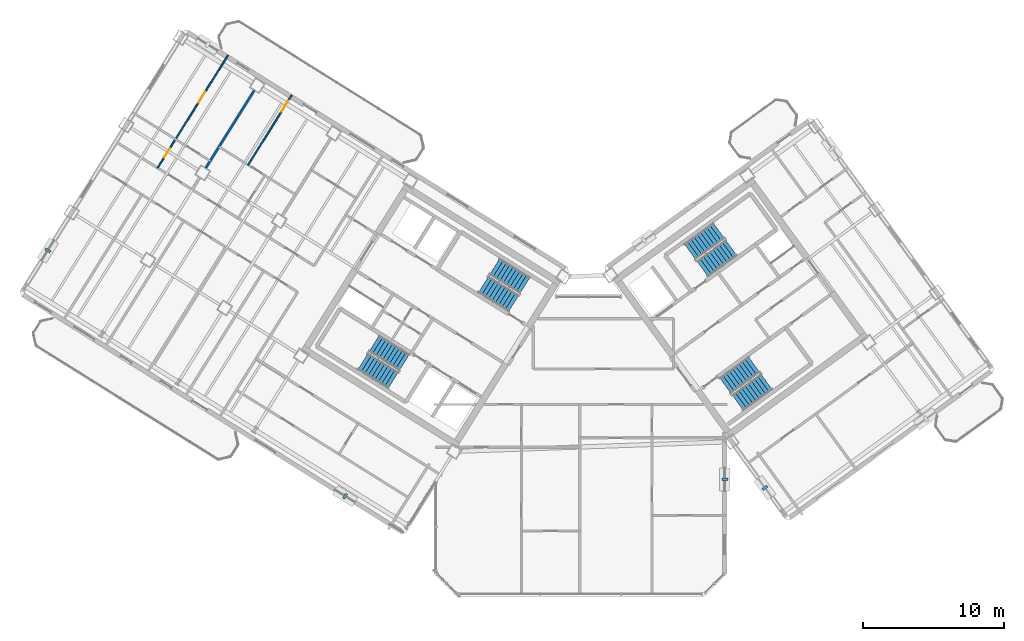
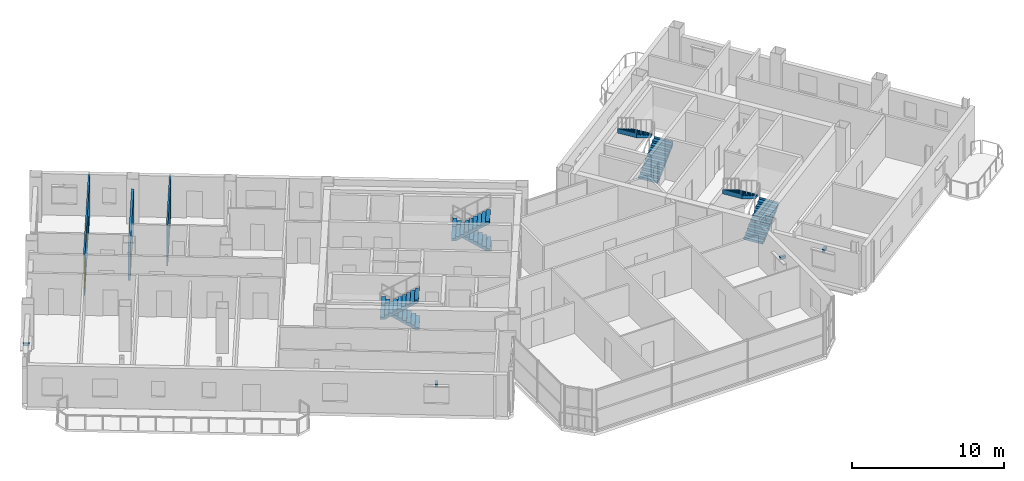
# One storey, part 21 of 27: 8 stair flights, 4 discrete accessories, 3 doors, 3 walls, 3 openings, 4 elements without a shape of their own.
"""IFC4 building model written with IfcOpenShell, lengths in metres."""

import ifcopenshell
import ifcopenshell.guid

model = None  # the IFC model being written
_history = None  # IfcOwnerHistory: only IFC2X3 demands one
_inside = {}  # id of a spatial element -> (the spatial element, [elements in it])
_under = {}  # id of a project, library or spatial element -> (it, [spatial elements below it])
_declared = {}  # id of a project -> (the project, [libraries it declares])
_typed = {}  # id of a type object -> (the type object, [elements of that type])
_made_of = {}  # id of a material, layer set ... -> (it, [elements and type objects made of it])


def new_model(schema):
    """Start an empty IFC model of exactly this schema.

    Asked for "IFC4X3", IfcOpenShell would pick the latest addendum, in which some entities
    have other attributes; the version numbers below select the first issue.
    IFC2X3 requires an IfcOwnerHistory on every rooted entity: one is made here for all.
    """
    global model, _history
    if schema == "IFC4X3":
        model = ifcopenshell.file(schema_version=(4, 3, 0, 0))
    else:
        model = ifcopenshell.file(schema=schema)
    _inside.clear()
    _under.clear()
    _declared.clear()
    _typed.clear()
    _made_of.clear()
    _history = None
    if model.schema == "IFC2X3":
        org = make("IfcOrganization", Name="unknown")
        user = make(
            "IfcPersonAndOrganization",
            ThePerson=make("IfcPerson", FamilyName="unknown"),
            TheOrganization=org,
        )
        app = make(
            "IfcApplication",
            ApplicationDeveloper=org,
            Version="unknown",
            ApplicationFullName="unknown",
            ApplicationIdentifier="unknown",
        )
        _history = make(
            "IfcOwnerHistory",
            OwningUser=user,
            OwningApplication=app,
            ChangeAction="ADDED",
            CreationDate=0,
        )
    return model


def make(cls, **values):
    """One entity of the class cls with the attributes given. An attribute that is None is left unset."""
    return model.create_entity(
        cls, **{name: value for name, value in values.items() if value is not None}
    )


def rooted(cls, **values):
    """An entity with a GlobalId (a new one), such as an element, a storey or a relation."""
    return make(cls, GlobalId=ifcopenshell.guid.new(), OwnerHistory=_history, **values)


def si_unit(unit_type, name, prefix=None):
    """IfcSIUnit, for example si_unit("LENGTHUNIT", "METRE", prefix="MILLI")."""
    return make("IfcSIUnit", UnitType=unit_type, Prefix=prefix, Name=name)


def assignment(units):
    """IfcUnitAssignment: the units of a project."""
    return None if units is None else make("IfcUnitAssignment", Units=units)


def point(xyz):
    """IfcCartesianPoint."""
    return None if xyz is None else make("IfcCartesianPoint", Coordinates=xyz)


def direction(xyz):
    """IfcDirection."""
    return None if xyz is None else make("IfcDirection", DirectionRatios=xyz)


def frame(location, z_axis=None, x_axis=None):
    """IfcAxis2Placement3D, a coordinate frame: its origin and axes. An axis left out is left unset."""
    return make(
        "IfcAxis2Placement3D",
        Location=point(location),
        Axis=direction(z_axis),
        RefDirection=direction(x_axis),
    )


def frame_2d(location, x_axis=None):
    """IfcAxis2Placement2D, a coordinate frame in the plane: its origin and x axis."""
    return make(
        "IfcAxis2Placement2D", Location=point(location), RefDirection=direction(x_axis)
    )


def origin():
    """The frame at (0, 0, 0) with its axes left unset."""
    return frame((0.0, 0.0, 0.0))


def origin_2d():
    """The frame at (0, 0) in the plane with its x axis left unset."""
    return frame_2d((0.0, 0.0))


def place(relative_to, where):
    """IfcLocalPlacement: puts the frame where relative to a parent placement (None: the world)."""
    return make(
        "IfcLocalPlacement", PlacementRelTo=relative_to, RelativePlacement=where
    )


def context(
    kind, dimensions, precision=None, world=None, true_north=None, identifier=None
):
    """IfcGeometricRepresentationContext, for example the 3D "Model" context."""
    return make(
        "IfcGeometricRepresentationContext",
        ContextIdentifier=identifier,
        ContextType=kind,
        CoordinateSpaceDimension=dimensions,
        Precision=precision,
        WorldCoordinateSystem=world,
        TrueNorth=true_north,
    )


def subcontext(parent, identifier, kind, view, scale=None):
    """IfcGeometricRepresentationSubContext, for example "Body" below "Model"."""
    return make(
        "IfcGeometricRepresentationSubContext",
        ContextIdentifier=identifier,
        ContextType=kind,
        ParentContext=parent,
        TargetScale=scale,
        TargetView=view,
    )


def project(units=None, contexts=None):
    """IfcProject with its units and contexts."""
    return rooted(
        "IfcProject",
        Name="project",
        RepresentationContexts=contexts,
        UnitsInContext=assignment(units),
    )


def spatial(cls, under=None, at=None, **own):
    """A site, building, storey or space (cls), placed at a placement, below another one or the project."""
    s = rooted(cls, ObjectPlacement=at, **own)
    if under is not None:
        _under.setdefault(under.id(), (under, []))[1].append(s)
    return s


def polyline(points):
    """IfcPolyline through the points."""
    return make("IfcPolyline", Points=[point(p) for p in points])


def profile(cls, at=None, kind="AREA", **sizes):
    """A parametric profile (cls). Its sizes go by their IFC names, for example OverallWidth=200.0."""
    return make(cls, ProfileType=kind, Position=at, **sizes)


def rectangle(**sizes):
    """IfcRectangleProfileDef."""
    return profile("IfcRectangleProfileDef", **sizes)


def outline(outer, holes=None, kind="AREA"):
    """IfcArbitraryClosedProfileDef: a profile drawn as a closed curve; with holes, ...WithVoids."""
    if holes is None:
        return make("IfcArbitraryClosedProfileDef", ProfileType=kind, OuterCurve=outer)
    return make(
        "IfcArbitraryProfileDefWithVoids",
        ProfileType=kind,
        OuterCurve=outer,
        InnerCurves=holes,
    )


def extrude(swept, where, along, depth):
    """IfcExtrudedAreaSolid: the profile swept, set in the frame where, extruded along a direction by depth."""
    return make(
        "IfcExtrudedAreaSolid",
        SweptArea=swept,
        Position=where,
        ExtrudedDirection=direction(along),
        Depth=depth,
    )


def shape(context_of_items, identifier, shape_type, items):
    """IfcShapeRepresentation: the items that make up one representation, for example the "Body"."""
    return make(
        "IfcShapeRepresentation",
        ContextOfItems=context_of_items,
        RepresentationIdentifier=identifier,
        RepresentationType=shape_type,
        Items=items,
    )


def source(mapping_origin, context_of_items, identifier, shape_type, items):
    """IfcRepresentationMap: a shape defined once, which mapped items show again and again."""
    return make(
        "IfcRepresentationMap",
        MappingOrigin=mapping_origin,
        MappedRepresentation=shape(context_of_items, identifier, shape_type, items),
    )


def transform(
    local_origin,
    x_axis=None,
    y_axis=None,
    z_axis=None,
    scale=None,
    scale2=None,
    scale3=None,
    uniform=True,
):
    """IfcCartesianTransformationOperator3D, or its non-uniform kind. x_axis, y_axis, z_axis: its Axis1, 2, 3."""
    if uniform:
        return make(
            "IfcCartesianTransformationOperator3D",
            Axis1=direction(x_axis),
            Axis2=direction(y_axis),
            LocalOrigin=point(local_origin),
            Scale=scale,
            Axis3=direction(z_axis),
        )
    return make(
        "IfcCartesianTransformationOperator3DnonUniform",
        Axis1=direction(x_axis),
        Axis2=direction(y_axis),
        LocalOrigin=point(local_origin),
        Scale=scale,
        Axis3=direction(z_axis),
        Scale2=scale2,
        Scale3=scale3,
    )


def mapped(mapping_source, mapping_target):
    """IfcMappedItem: shows the shape of a source again, moved by a transform."""
    return make(
        "IfcMappedItem", MappingSource=mapping_source, MappingTarget=mapping_target
    )


def material(Name=None, Category=None):
    """IfcMaterial."""
    return make("IfcMaterial", Name=Name, Category=Category)


def layer(
    of_material, thickness, ventilated=None, Name=None, Category=None, Priority=None
):
    """IfcMaterialLayer: one layer of a wall or slab, of a material (None: an air gap)."""
    return make(
        "IfcMaterialLayer",
        Material=of_material,
        LayerThickness=thickness,
        IsVentilated=ventilated,
        Name=Name,
        Category=Category,
        Priority=Priority,
    )


def layer_set(layers, Name=None):
    """IfcMaterialLayerSet."""
    return make("IfcMaterialLayerSet", MaterialLayers=layers, LayerSetName=Name)


def made_of(thing, what):
    """Note that an element or type object is made of a material, layer set ...; save() writes the relation."""
    if what is not None:
        _made_of.setdefault(what.id(), (what, []))[1].append(thing)
    return thing


def type_object(cls, material=None, **own):
    """A type object (cls), such as IfcWallType, which elements share."""
    return made_of(rooted(cls, **own), material)


def element(
    cls,
    number,
    at=None,
    inside=None,
    cuts=None,
    type_object=None,
    material=None,
    context=None,
    identifier="Body",
    shape_type=None,
    held_by="IfcProductDefinitionShape",
    body=None,
    shapes=None,
    **own,
):
    """One element of the class cls, such as IfcWall. Its Tag is "e" and its number.

    at: its placement. inside: the storey or other place that contains it. cuts: it is an
    opening in that element (IfcRelVoidsElement). A single representation is given by context,
    identifier, shape_type and body (its items); several are given by shapes. held_by: the class
    of the entity that holds the representations. save() writes the other relations.
    """
    e = rooted(cls, Tag="e%d" % number, ObjectPlacement=at, **own)
    if body is not None:
        shapes = [shape(context, identifier, shape_type, body)]
    if shapes is not None:
        e.Representation = make(held_by, Representations=shapes)
    if inside is not None:
        _inside.setdefault(inside.id(), (inside, []))[1].append(e)
    if cuts is not None:
        rooted(
            "IfcRelVoidsElement", RelatingBuildingElement=cuts, RelatedOpeningElement=e
        )
    if type_object is not None:
        _typed.setdefault(type_object.id(), (type_object, []))[1].append(e)
    return made_of(e, material)


def fill(opening, filler):
    """IfcRelFillsElement: the door or window that sits in an opening."""
    return rooted(
        "IfcRelFillsElement",
        RelatingOpeningElement=opening,
        RelatedBuildingElement=filler,
    )


def aggregate(whole, parts):
    """IfcRelAggregates: a whole, such as a stair, and the parts it consists of."""
    return rooted("IfcRelAggregates", RelatingObject=whole, RelatedObjects=parts)


def save(model, path):
    """Write the relations noted so far, then the file.

    IfcRelAggregates (storeys below a building ...), IfcRelContainedInSpatialStructure (elements
    in a storey), IfcRelDefinesByType, IfcRelAssociatesMaterial and IfcRelDeclares: one each for
    every whole, place, type object, material and project.
    """
    for whole, parts in _under.values():
        aggregate(whole, parts)
    for where, things in _inside.values():
        rooted(
            "IfcRelContainedInSpatialStructure",
            RelatedElements=things,
            RelatingStructure=where,
        )
    for kind, things in _typed.values():
        rooted("IfcRelDefinesByType", RelatedObjects=things, RelatingType=kind)
    for what, things in _made_of.values():
        rooted("IfcRelAssociatesMaterial", RelatedObjects=things, RelatingMaterial=what)
    for by, libraries in _declared.values():
        rooted("IfcRelDeclares", RelatingContext=by, RelatedDefinitions=libraries)
    model.write(path)


model = new_model("IFC4")

# Units and contexts
model_context = context("Model", 3, precision=1e-05, world=origin(), true_north=direction((0.0, 1.0)))
body_context = subcontext(model_context, "Body", "Model", "MODEL_VIEW")
ifc_project = project(units=[si_unit("LENGTHUNIT", "METRE"), si_unit("AREAUNIT", "SQUARE_METRE"), si_unit("VOLUMEUNIT", "CUBIC_METRE"), si_unit("PLANEANGLEUNIT", "RADIAN"), si_unit("MASSUNIT", "GRAM", prefix="KILO")], contexts=[model_context])

# Site, building, storey
site_placement = place(None, origin())
site = spatial("IfcSite", under=ifc_project, at=site_placement, CompositionType="ELEMENT")
building_placement = place(site_placement, origin())
building = spatial("IfcBuilding", under=site, at=building_placement, Name="Tlacorven Tower", CompositionType="ELEMENT")
storey_placement = place(building_placement, frame((0.0, 0.0, 242.10009765625)))
storey = spatial("IfcBuildingStorey", under=building, at=storey_placement, Name="L61", CompositionType="ELEMENT", Elevation=242.10009765625)

# Wall
ifc_material_1 = material(Name="Gypsum plasterboard acoustic partition", Category="gypsum")
ifc_layer_1 = layer(ifc_material_1, 0.159912109375)
ifc_layer_set_1 = layer_set([ifc_layer_1], Name="Gypsum plasterboard acoustic partition")
wall_type_1 = type_object("IfcWallType", Name="WL-DEM-160", PredefinedType="PARTITIONING", material=ifc_layer_set_1)
wall_1_placement = place(storey_placement, frame((18.8544921875, 37.684814453125, 0.0), z_axis=(0.0, 0.0, 1.0), x_axis=(-0.529907440938, -0.848055484057, 0.0)))
element("IfcWall", 1, at=wall_1_placement, inside=storey, type_object=wall_type_1, Name="L61 WS Demising Wall 2", PredefinedType="PARTITIONING", context=body_context, shape_type="SweptSolid", body=[
    extrude(rectangle(XDim=6.475830078125, YDim=0.159912109375, at=frame_2d((3.23779296875, 0.0))), origin(), (0.0, 0.0, 1.0), 2.844970703125),
])

# Wall, opening, door
ifc_material_2 = material(Name="Gypsum plasterboard partition", Category="gypsum")
ifc_layer_2 = layer(ifc_material_2, 0.110107421875)
ifc_layer_set_2 = layer_set([ifc_layer_2], Name="Gypsum plasterboard partition")
wall_type_2 = type_object("IfcWallType", Name="WL-INT-110", PredefinedType="PARTITIONING", material=ifc_layer_set_2)
wall_2_placement = place(storey_placement, frame((21.516845703125, 37.356201171875, 0.0), z_axis=(0.0, 0.0, 1.0), x_axis=(-0.529916267533, -0.848049968695, 0.0)))
wall_2 = element("IfcWall", 2, at=wall_2_placement, inside=storey, type_object=wall_type_2, Name="L61 partition 54", PredefinedType="PARTITIONING", context=body_context, shape_type="SweptSolid", body=[
    extrude(rectangle(XDim=5.840087890625, YDim=0.110107421875, at=frame_2d((2.919921875, 0.0))), origin(), (0.0, 0.0, 1.0), 3.309814453125),
])
opening_1_placement = place(wall_2_placement, frame((0.469970703125, 0.0, 0.0)))
opening_1 = element("IfcOpeningElement", 3, at=opening_1_placement, cuts=wall_2, Name="Opening D12", PredefinedType="OPENING", context=body_context, shape_type="SweptSolid", body=[
    extrude(rectangle(XDim=0.919921875, YDim=2.080078125, at=frame_2d((0.4599609375, 1.0400390625))), frame((0.0, 0.06494140625, 0.0), z_axis=(0.0, -1.0, 0.0), x_axis=(1.0, 0.0, 0.0)), (0.0, 0.0, 1.0), 0.130126953125),
])
ifc_material_3 = material(Name="Powder-coated aluminium and timber door", Category="wood")
door_type_1 = type_object("IfcDoorType", Name="DR-INT-ROOM-0920", OperationType="NOTDEFINED", PredefinedType="DOOR", material=ifc_material_3)
shared_shape_1 = source(origin(), body_context, "Body", "SweptSolid", [
    extrude(rectangle(XDim=0.919921875, YDim=2.080078125, at=frame_2d((0.4599609375, 1.0400390625))), frame((0.0, 0.02490234375, 0.0), z_axis=(0.0, -1.0, 0.0), x_axis=(1.0, 0.0, 0.0)), (0.0, 0.0, 1.0), 0.050048828125),
])
door_1_placement = place(opening_1_placement, origin())
door_1 = element("IfcDoor", 4, at=door_1_placement, inside=storey, type_object=door_type_1, Name="L61 door 030", OperationType="SINGLE_SWING_RIGHT", OverallHeight=2.080078125, OverallWidth=0.919921875, PredefinedType="DOOR", context=body_context, shape_type="MappedRepresentation", body=[
    mapped(shared_shape_1, transform((0.0, 0.0, 0.0), scale=1.0)),
])
fill(opening_1, door_1)

# Wall, openings, doors
wall_3_placement = place(storey_placement, frame((16.9951171875, 40.181640625, 0.0), z_axis=(0.0, 0.0, 1.0), x_axis=(-0.529931378574, -0.848040526156, 0.0)))
wall_3 = element("IfcWall", 5, at=wall_3_placement, inside=storey, type_object=wall_type_2, Name="L61 partition 55", PredefinedType="PARTITIONING", context=body_context, shape_type="SweptSolid", body=[
    extrude(rectangle(XDim=9.419921875, YDim=0.110107421875, at=frame_2d((4.7099609375, 0.0))), origin(), (0.0, 0.0, 1.0), 3.309814453125),
])
opening_2_placement = place(wall_3_placement, frame((7.780029296875, 0.0, 0.0)))
opening_2 = element("IfcOpeningElement", 6, at=opening_2_placement, cuts=wall_3, Name="Opening D22", PredefinedType="OPENING", context=body_context, shape_type="SweptSolid", body=[
    extrude(rectangle(XDim=0.780029296875, YDim=2.050048828125, at=frame_2d((0.39013671875, 1.02490234375))), frame((0.0, 0.06494140625, 0.0), z_axis=(0.0, -1.0, 0.0), x_axis=(1.0, 0.0, 0.0)), (0.0, 0.0, 1.0), 0.130126953125),
])
opening_3_placement = place(wall_3_placement, frame((3.050048828125, 0.0, 0.0)))
opening_3 = element("IfcOpeningElement", 7, at=opening_3_placement, cuts=wall_3, Name="Opening D12", PredefinedType="OPENING", context=body_context, shape_type="SweptSolid", body=[
    extrude(rectangle(XDim=0.919921875, YDim=2.080078125, at=frame_2d((0.4599609375, 1.0400390625))), frame((0.0, 0.06494140625, 0.0), z_axis=(0.0, -1.0, 0.0), x_axis=(1.0, 0.0, 0.0)), (0.0, 0.0, 1.0), 0.130126953125),
])
door_type_2 = type_object("IfcDoorType", Name="DR-INT-WET-0780", OperationType="NOTDEFINED", PredefinedType="DOOR", material=ifc_material_3)
shared_shape_2 = source(origin(), body_context, "Body", "SweptSolid", [
    extrude(rectangle(XDim=0.780029296875, YDim=2.050048828125, at=frame_2d((0.39013671875, 1.02490234375))), frame((0.0, 0.02490234375, 0.0), z_axis=(0.0, -1.0, 0.0), x_axis=(1.0, 0.0, 0.0)), (0.0, 0.0, 1.0), 0.050048828125),
])
door_2_placement = place(opening_2_placement, origin())
door_2 = element("IfcDoor", 8, at=door_2_placement, inside=storey, type_object=door_type_2, Name="L61 door 037", OperationType="SINGLE_SWING_LEFT", OverallHeight=2.050048828125, OverallWidth=0.780029296875, PredefinedType="DOOR", context=body_context, shape_type="MappedRepresentation", body=[
    mapped(shared_shape_2, transform((0.0, 0.0, 0.0), scale=1.0)),
])
fill(opening_2, door_2)
door_3_placement = place(opening_3_placement, origin())
door_3 = element("IfcDoor", 9, at=door_3_placement, inside=storey, type_object=door_type_1, Name="L61 door 038", OperationType="SINGLE_SWING_RIGHT", OverallHeight=2.080078125, OverallWidth=0.919921875, PredefinedType="DOOR", context=body_context, shape_type="MappedRepresentation", body=[
    mapped(shared_shape_1, transform((0.0, 0.0, 0.0), scale=1.0)),
])
fill(opening_3, door_3)

# Stair, stair flights
ifc_material_4 = material(Name="Concrete C40/50", Category="concrete")
stair_type = type_object("IfcStairType", Name="ST-CORE-DLG", PredefinedType="HALF_TURN_STAIR", material=ifc_material_4)
stair_1_placement = place(storey_placement, origin())
stair_1 = element("IfcStair", 10, at=stair_1_placement, inside=storey, type_object=stair_type, Name="L61 Protected Exit Stair West 1", PredefinedType="HALF_TURN_STAIR")
stair_flight_type = type_object("IfcStairFlightType", Name="SFL-RC-1380", PredefinedType="STRAIGHT", material=ifc_material_4)
shared_shape_3 = source(origin(), body_context, "Body", "SweptSolid", [
    extrude(outline(polyline([(-0.0029296875, -0.0029296875), (-0.0029296875, 0.179931640625), (0.280029296875, 0.179931640625), (0.280029296875, 0.360107421875), (0.56005859375, 0.360107421875), (0.56005859375, 0.5400390625), (0.840087890625, 0.5400390625), (0.840087890625, 0.719970703125), (1.1201171875, 0.719970703125), (1.1201171875, 0.89990234375), (1.39990234375, 0.89990234375), (1.39990234375, 1.080078125), (1.679931640625, 1.080078125), (1.679931640625, 1.260009765625), (1.9599609375, 1.260009765625), (1.9599609375, 1.43994140625), (2.239990234375, 1.43994140625), (2.239990234375, 1.6201171875), (2.52001953125, 1.6201171875), (2.52001953125, 1.800048828125), (2.52294921875, 1.800048828125), (2.52294921875, 1.429931640625), (2.52001953125, 1.429931640625), (0.295654296875, 0.0), (0.295654296875, -0.0029296875), (-0.0029296875, -0.0029296875)])), frame((0.0, 0.68994140625, 0.0), z_axis=(0.0, -1.0, 0.0), x_axis=(1.0, 0.0, 0.0)), (0.0, 0.0, 1.0), 1.3798828125),
])
stair_flight_1_placement = place(storey_placement, frame((29.499755859375, 18.39453125, 0.0), z_axis=(0.0, 0.0, 1.0), x_axis=(-0.848048096156, 0.529919264233, 0.0)))
stair_flight_1 = element("IfcStairFlight", 11, at=stair_flight_1_placement, type_object=stair_flight_type, Name="ST-W1 flight 1", NumberOfRisers=10, NumberOfTreads=9, PredefinedType="STRAIGHT", RiserHeight=0.18, TreadLength=0.28, context=body_context, shape_type="MappedRepresentation", body=[
    mapped(shared_shape_3, transform((0.0, 0.0, 0.0), scale=1.0)),
])
stair_flight_2_placement = place(storey_placement, frame((26.56787109375, 18.4580078125, 1.7998046875), z_axis=(0.0, 0.0, 1.0), x_axis=(0.848048096156, -0.529919264233, 0.0)))
stair_flight_2 = element("IfcStairFlight", 12, at=stair_flight_2_placement, type_object=stair_flight_type, Name="ST-W1 flight 2", NumberOfRisers=10, NumberOfTreads=9, PredefinedType="STRAIGHT", RiserHeight=0.18, TreadLength=0.28, context=body_context, shape_type="MappedRepresentation", body=[
    mapped(shared_shape_3, transform((0.0, 0.0, 0.0), scale=1.0)),
])
aggregate(stair_1, [stair_flight_1, stair_flight_2])

stair_2_placement = place(storey_placement, origin())
stair_2 = element("IfcStair", 13, at=stair_2_placement, inside=storey, type_object=stair_type, Name="L61 Protected Exit Stair West 2", PredefinedType="HALF_TURN_STAIR")
stair_flight_3_placement = place(storey_placement, frame((38.051513671875, 23.852294921875, 0.0), z_axis=(0.0, 0.0, 1.0), x_axis=(-0.848048096156, 0.529919264233, 0.0)))
stair_flight_3 = element("IfcStairFlight", 14, at=stair_flight_3_placement, type_object=stair_flight_type, Name="ST-W2 flight 1", NumberOfRisers=10, NumberOfTreads=9, PredefinedType="STRAIGHT", RiserHeight=0.18, TreadLength=0.28, context=body_context, shape_type="MappedRepresentation", body=[
    mapped(shared_shape_3, transform((0.0, 0.0, 0.0), scale=1.0)),
])
stair_flight_4_placement = place(storey_placement, frame((35.119384765625, 23.91552734375, 1.7998046875), z_axis=(0.0, 0.0, 1.0), x_axis=(0.848048096156, -0.529919264233, 0.0)))
stair_flight_4 = element("IfcStairFlight", 15, at=stair_flight_4_placement, type_object=stair_flight_type, Name="ST-W2 flight 2", NumberOfRisers=10, NumberOfTreads=9, PredefinedType="STRAIGHT", RiserHeight=0.18, TreadLength=0.28, context=body_context, shape_type="MappedRepresentation", body=[
    mapped(shared_shape_3, transform((0.0, 0.0, 0.0), scale=1.0)),
])
aggregate(stair_2, [stair_flight_3, stair_flight_4])

stair_3_placement = place(storey_placement, origin())
stair_3 = element("IfcStair", 16, at=stair_3_placement, inside=storey, type_object=stair_type, Name="L61 Protected Exit Stair East 1", PredefinedType="HALF_TURN_STAIR")
stair_flight_5_placement = place(storey_placement, frame((50.6533203125, 25.0400390625, 0.0), z_axis=(0.0, 0.0, 1.0), x_axis=(0.809016994375, 0.587785252292, 0.0)))
stair_flight_5 = element("IfcStairFlight", 17, at=stair_flight_5_placement, type_object=stair_flight_type, Name="ST-E1 flight 1", NumberOfRisers=10, NumberOfTreads=9, PredefinedType="STRAIGHT", RiserHeight=0.18, TreadLength=0.28, context=body_context, shape_type="MappedRepresentation", body=[
    mapped(shared_shape_3, transform((0.0, 0.0, 0.0), scale=1.0)),
])
stair_flight_6_placement = place(storey_placement, frame((51.810546875, 27.734619140625, 1.7998046875), z_axis=(0.0, 0.0, 1.0), x_axis=(-0.809016994375, -0.587785252292, 0.0)))
stair_flight_6 = element("IfcStairFlight", 18, at=stair_flight_6_placement, type_object=stair_flight_type, Name="ST-E1 flight 2", NumberOfRisers=10, NumberOfTreads=9, PredefinedType="STRAIGHT", RiserHeight=0.18, TreadLength=0.28, context=body_context, shape_type="MappedRepresentation", body=[
    mapped(shared_shape_3, transform((0.0, 0.0, 0.0), scale=1.0)),
])
aggregate(stair_3, [stair_flight_5, stair_flight_6])

stair_4_placement = place(storey_placement, origin())
stair_4 = element("IfcStair", 19, at=stair_4_placement, inside=storey, type_object=stair_type, Name="L61 Protected Exit Stair East 2", PredefinedType="HALF_TURN_STAIR")
stair_flight_7_placement = place(storey_placement, frame((53.157470703125, 15.536865234375, 0.0), z_axis=(0.0, 0.0, 1.0), x_axis=(0.809016994375, 0.587785252292, 0.0)))
stair_flight_7 = element("IfcStairFlight", 20, at=stair_flight_7_placement, type_object=stair_flight_type, Name="ST-E2 flight 1", NumberOfRisers=10, NumberOfTreads=9, PredefinedType="STRAIGHT", RiserHeight=0.18, TreadLength=0.28, context=body_context, shape_type="MappedRepresentation", body=[
    mapped(shared_shape_3, transform((0.0, 0.0, 0.0), scale=1.0)),
])
stair_flight_8_placement = place(storey_placement, frame((54.314453125, 18.231689453125, 1.7998046875), z_axis=(0.0, 0.0, 1.0), x_axis=(-0.809016994375, -0.587785252292, 0.0)))
stair_flight_8 = element("IfcStairFlight", 21, at=stair_flight_8_placement, type_object=stair_flight_type, Name="ST-E2 flight 2", NumberOfRisers=10, NumberOfTreads=9, PredefinedType="STRAIGHT", RiserHeight=0.18, TreadLength=0.28, context=body_context, shape_type="MappedRepresentation", body=[
    mapped(shared_shape_3, transform((0.0, 0.0, 0.0), scale=1.0)),
])
aggregate(stair_4, [stair_flight_7, stair_flight_8])

# Discrete accessories
ifc_material_5 = material(Name="Steel S355J2", Category="steel")
discrete_accessory_type = type_object("IfcDiscreteAccessoryType", Name="ACC-BRK-01", PredefinedType="BRACKET", material=ifc_material_5)
shared_shape_4 = source(origin(), body_context, "Body", "SweptSolid", [
    extrude(rectangle(XDim=0.179931640625, YDim=0.419921875, at=origin_2d()), origin(), (0.0, 0.0, 1.0), 0.219970703125),
])
for number, where, z_axis, x_axis, name in (
    (22, (25.295654296875, 8.911376953125, 2.27978515625), (0.0, 0.0, 1.0), (-0.84804812172, 0.529919223323, 0.0), "L61 Sunshade Bracket L61-01.1"),
    (23, (4.219482421875, 26.341064453125, 2.27978515625), (0.0, 0.0, 1.0), (0.529918940959, 0.84804829816, 0.0), "L61 Sunshade Bracket L61-02.1"),
    (24, (55.07861328125, 9.507080078125, 2.27978515625), (0.0, 0.0, 1.0), (-0.587785622053, 0.809016725728, 0.0), "L61 Sunshade Bracket L61-07.1"),
    (25, (52.239990234375, 10.096435546875, 2.27978515625), (0.0, 0.0, 1.0), (0.0, -1.0, 0.0), "L61 Sunshade Bracket L61-08.1"),
):
    element("IfcDiscreteAccessory", number, at=place(storey_placement, frame(where, z_axis=z_axis, x_axis=x_axis)), inside=storey, type_object=discrete_accessory_type, Name=name, PredefinedType="BRACKET", context=body_context, shape_type="MappedRepresentation", body=[
        mapped(shared_shape_4, transform((0.0, 0.0, 0.0), scale=1.0)),
    ])

save(model, "model.ifc")
